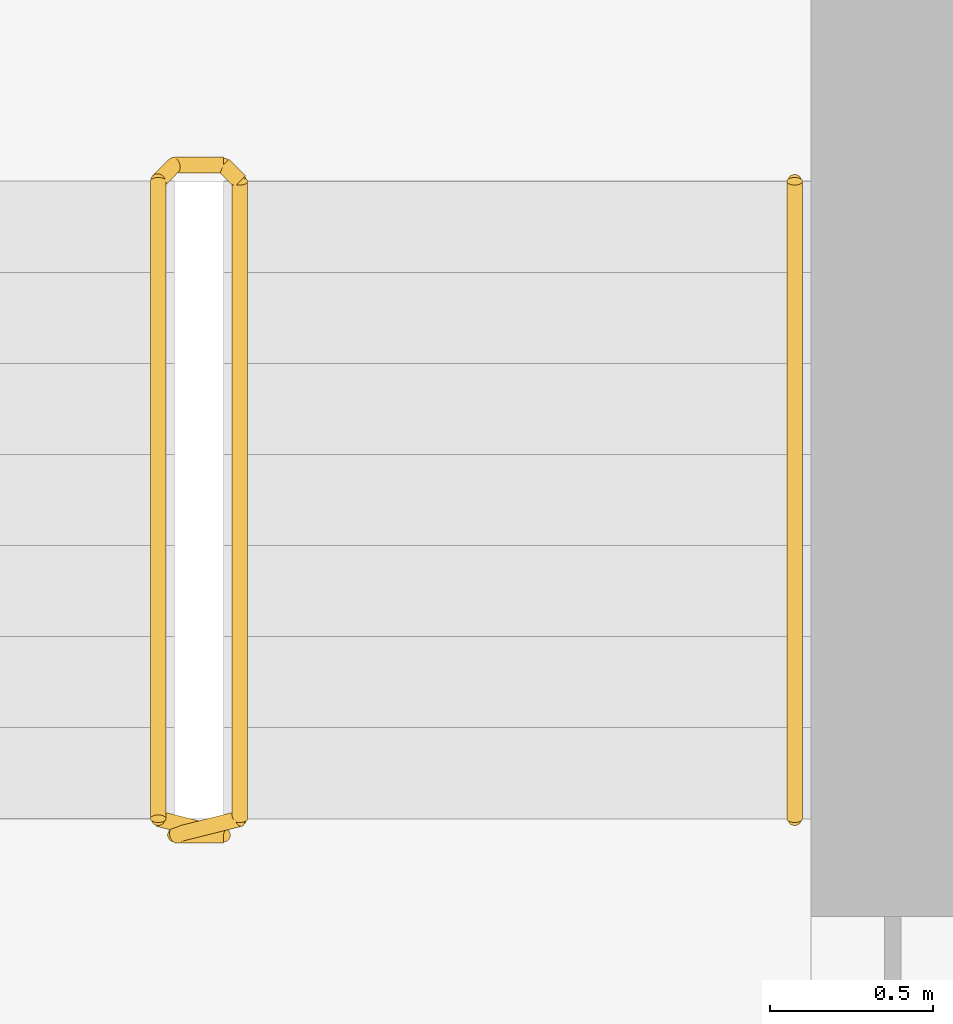
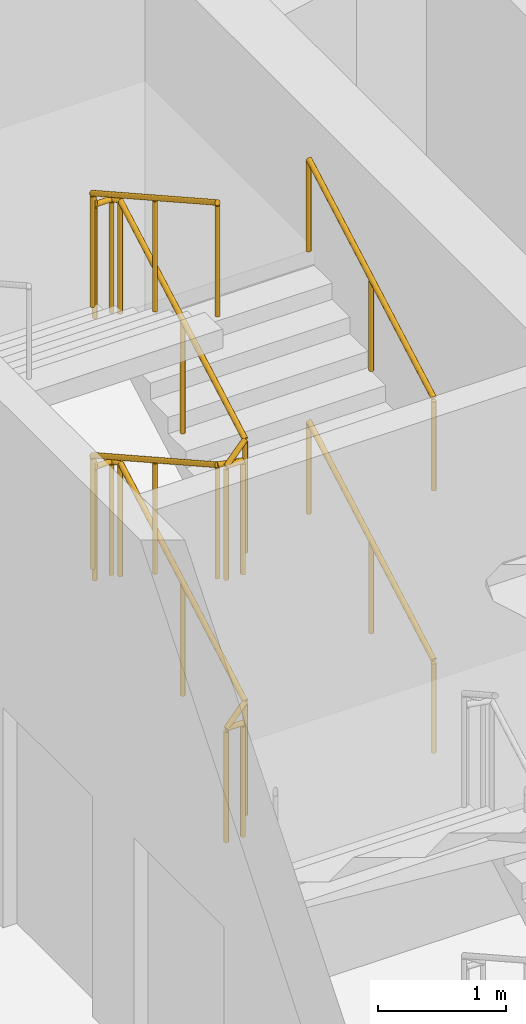
# One storey, part 11 of 11: 3 railings.
"""IFC4 building model written with IfcOpenShell, lengths in metres."""

import ifcopenshell
import ifcopenshell.guid

model = None  # the IFC model being written
_history = None  # IfcOwnerHistory: only IFC2X3 demands one
_inside = {}  # id of a spatial element -> (the spatial element, [elements in it])
_under = {}  # id of a project, library or spatial element -> (it, [spatial elements below it])
_declared = {}  # id of a project -> (the project, [libraries it declares])
_typed = {}  # id of a type object -> (the type object, [elements of that type])
_made_of = {}  # id of a material, layer set ... -> (it, [elements and type objects made of it])


def new_model(schema):
    """Start an empty IFC model of exactly this schema.

    Asked for "IFC4X3", IfcOpenShell would pick the latest addendum, in which some entities
    have other attributes; the version numbers below select the first issue.
    IFC2X3 requires an IfcOwnerHistory on every rooted entity: one is made here for all.
    """
    global model, _history
    if schema == "IFC4X3":
        model = ifcopenshell.file(schema_version=(4, 3, 0, 0))
    else:
        model = ifcopenshell.file(schema=schema)
    _inside.clear()
    _under.clear()
    _declared.clear()
    _typed.clear()
    _made_of.clear()
    _history = None
    if model.schema == "IFC2X3":
        org = make("IfcOrganization", Name="unknown")
        user = make(
            "IfcPersonAndOrganization",
            ThePerson=make("IfcPerson", FamilyName="unknown"),
            TheOrganization=org,
        )
        app = make(
            "IfcApplication",
            ApplicationDeveloper=org,
            Version="unknown",
            ApplicationFullName="unknown",
            ApplicationIdentifier="unknown",
        )
        _history = make(
            "IfcOwnerHistory",
            OwningUser=user,
            OwningApplication=app,
            ChangeAction="ADDED",
            CreationDate=0,
        )
    return model


def make(cls, **values):
    """One entity of the class cls with the attributes given. An attribute that is None is left unset."""
    return model.create_entity(
        cls, **{name: value for name, value in values.items() if value is not None}
    )


def rooted(cls, **values):
    """An entity with a GlobalId (a new one), such as an element, a storey or a relation."""
    return make(cls, GlobalId=ifcopenshell.guid.new(), OwnerHistory=_history, **values)


def si_unit(unit_type, name, prefix=None):
    """IfcSIUnit, for example si_unit("LENGTHUNIT", "METRE", prefix="MILLI")."""
    return make("IfcSIUnit", UnitType=unit_type, Prefix=prefix, Name=name)


def assignment(units):
    """IfcUnitAssignment: the units of a project."""
    return None if units is None else make("IfcUnitAssignment", Units=units)


def point(xyz):
    """IfcCartesianPoint."""
    return None if xyz is None else make("IfcCartesianPoint", Coordinates=xyz)


def direction(xyz):
    """IfcDirection."""
    return None if xyz is None else make("IfcDirection", DirectionRatios=xyz)


def frame(location, z_axis=None, x_axis=None):
    """IfcAxis2Placement3D, a coordinate frame: its origin and axes. An axis left out is left unset."""
    return make(
        "IfcAxis2Placement3D",
        Location=point(location),
        Axis=direction(z_axis),
        RefDirection=direction(x_axis),
    )


def frame_2d(location, x_axis=None):
    """IfcAxis2Placement2D, a coordinate frame in the plane: its origin and x axis."""
    return make(
        "IfcAxis2Placement2D", Location=point(location), RefDirection=direction(x_axis)
    )


def origin():
    """The frame at (0, 0, 0) with its axes left unset."""
    return frame((0.0, 0.0, 0.0))


def origin_2d():
    """The frame at (0, 0) in the plane with its x axis left unset."""
    return frame_2d((0.0, 0.0))


def place(relative_to, where):
    """IfcLocalPlacement: puts the frame where relative to a parent placement (None: the world)."""
    return make(
        "IfcLocalPlacement", PlacementRelTo=relative_to, RelativePlacement=where
    )


def context(
    kind, dimensions, precision=None, world=None, true_north=None, identifier=None
):
    """IfcGeometricRepresentationContext, for example the 3D "Model" context."""
    return make(
        "IfcGeometricRepresentationContext",
        ContextIdentifier=identifier,
        ContextType=kind,
        CoordinateSpaceDimension=dimensions,
        Precision=precision,
        WorldCoordinateSystem=world,
        TrueNorth=true_north,
    )


def subcontext(parent, identifier, kind, view, scale=None):
    """IfcGeometricRepresentationSubContext, for example "Body" below "Model"."""
    return make(
        "IfcGeometricRepresentationSubContext",
        ContextIdentifier=identifier,
        ContextType=kind,
        ParentContext=parent,
        TargetScale=scale,
        TargetView=view,
    )


def project(units=None, contexts=None):
    """IfcProject with its units and contexts."""
    return rooted(
        "IfcProject",
        Name="project",
        RepresentationContexts=contexts,
        UnitsInContext=assignment(units),
    )


def spatial(cls, under=None, at=None, **own):
    """A site, building, storey or space (cls), placed at a placement, below another one or the project."""
    s = rooted(cls, ObjectPlacement=at, **own)
    if under is not None:
        _under.setdefault(under.id(), (under, []))[1].append(s)
    return s


def profile(cls, at=None, kind="AREA", **sizes):
    """A parametric profile (cls). Its sizes go by their IFC names, for example OverallWidth=200.0."""
    return make(cls, ProfileType=kind, Position=at, **sizes)


def circle(**sizes):
    """IfcCircleProfileDef."""
    return profile("IfcCircleProfileDef", **sizes)


def extrude(swept, where, along, depth):
    """IfcExtrudedAreaSolid: the profile swept, set in the frame where, extruded along a direction by depth."""
    return make(
        "IfcExtrudedAreaSolid",
        SweptArea=swept,
        Position=where,
        ExtrudedDirection=direction(along),
        Depth=depth,
    )


def shape(context_of_items, identifier, shape_type, items):
    """IfcShapeRepresentation: the items that make up one representation, for example the "Body"."""
    return make(
        "IfcShapeRepresentation",
        ContextOfItems=context_of_items,
        RepresentationIdentifier=identifier,
        RepresentationType=shape_type,
        Items=items,
    )


def material(Name=None, Category=None):
    """IfcMaterial."""
    return make("IfcMaterial", Name=Name, Category=Category)


def made_of(thing, what):
    """Note that an element or type object is made of a material, layer set ...; save() writes the relation."""
    if what is not None:
        _made_of.setdefault(what.id(), (what, []))[1].append(thing)
    return thing


def type_object(cls, material=None, **own):
    """A type object (cls), such as IfcWallType, which elements share."""
    return made_of(rooted(cls, **own), material)


def element(
    cls,
    number,
    at=None,
    inside=None,
    cuts=None,
    type_object=None,
    material=None,
    context=None,
    identifier="Body",
    shape_type=None,
    held_by="IfcProductDefinitionShape",
    body=None,
    shapes=None,
    **own,
):
    """One element of the class cls, such as IfcWall. Its Tag is "e" and its number.

    at: its placement. inside: the storey or other place that contains it. cuts: it is an
    opening in that element (IfcRelVoidsElement). A single representation is given by context,
    identifier, shape_type and body (its items); several are given by shapes. held_by: the class
    of the entity that holds the representations. save() writes the other relations.
    """
    e = rooted(cls, Tag="e%d" % number, ObjectPlacement=at, **own)
    if body is not None:
        shapes = [shape(context, identifier, shape_type, body)]
    if shapes is not None:
        e.Representation = make(held_by, Representations=shapes)
    if inside is not None:
        _inside.setdefault(inside.id(), (inside, []))[1].append(e)
    if cuts is not None:
        rooted(
            "IfcRelVoidsElement", RelatingBuildingElement=cuts, RelatedOpeningElement=e
        )
    if type_object is not None:
        _typed.setdefault(type_object.id(), (type_object, []))[1].append(e)
    return made_of(e, material)


def aggregate(whole, parts):
    """IfcRelAggregates: a whole, such as a stair, and the parts it consists of."""
    return rooted("IfcRelAggregates", RelatingObject=whole, RelatedObjects=parts)


def save(model, path):
    """Write the relations noted so far, then the file.

    IfcRelAggregates (storeys below a building ...), IfcRelContainedInSpatialStructure (elements
    in a storey), IfcRelDefinesByType, IfcRelAssociatesMaterial and IfcRelDeclares: one each for
    every whole, place, type object, material and project.
    """
    for whole, parts in _under.values():
        aggregate(whole, parts)
    for where, things in _inside.values():
        rooted(
            "IfcRelContainedInSpatialStructure",
            RelatedElements=things,
            RelatingStructure=where,
        )
    for kind, things in _typed.values():
        rooted("IfcRelDefinesByType", RelatedObjects=things, RelatingType=kind)
    for what, things in _made_of.values():
        rooted("IfcRelAssociatesMaterial", RelatedObjects=things, RelatingMaterial=what)
    for by, libraries in _declared.values():
        rooted("IfcRelDeclares", RelatingContext=by, RelatedDefinitions=libraries)
    model.write(path)


model = new_model("IFC4")

# Units and contexts
model_context = context("Model", 3, precision=1e-05, world=origin(), true_north=direction((0.0, 1.0)))
body_context = subcontext(model_context, "Body", "Model", "MODEL_VIEW")
ifc_project = project(units=[si_unit("LENGTHUNIT", "METRE"), si_unit("AREAUNIT", "SQUARE_METRE"), si_unit("VOLUMEUNIT", "CUBIC_METRE"), si_unit("PLANEANGLEUNIT", "RADIAN"), si_unit("MASSUNIT", "GRAM", prefix="KILO")], contexts=[model_context])

# Site, building, storey
site_placement = place(None, origin())
site = spatial("IfcSite", under=ifc_project, at=site_placement, CompositionType="ELEMENT")
building_placement = place(site_placement, origin())
building = spatial("IfcBuilding", under=site, at=building_placement, Name="Calabash Gate Tower", CompositionType="ELEMENT")
storey_placement = place(building_placement, frame((0.0, 0.0, 310.5)))
storey = spatial("IfcBuildingStorey", under=building, at=storey_placement, Name="L73", CompositionType="ELEMENT", Elevation=310.5)

# Railings
ifc_material_1 = material(Name="Black powder-coated steel balusters", Category="steel")
railing_type_1 = type_object("IfcRailingType", Name="Stair guard RL1100", PredefinedType="GUARDRAIL", material=ifc_material_1)
railing_placement = place(storey_placement, frame((10.300048828125, 13.902587890625, 0.0)))
element("IfcRailing", 1, at=railing_placement, inside=storey, type_object=railing_type_1, Name="L73 ST3 stair guard 1", PredefinedType="GUARDRAIL", context=body_context, shape_type="SweptSolid", body=[
    extrude(circle(Radius=0.02392578125, at=origin_2d()), frame((0.0, 0.0, 1.076171875), z_axis=(-1.0, 0.0, 0.0), x_axis=(0.0, -1.0, 0.0)), (0.0, 0.0, 1.0), 0.150146484375),
    extrude(circle(Radius=0.02392578125, at=origin_2d()), frame((-0.150146484375, 0.0, 1.076171875), z_axis=(0.773438643492, 0.193359660873, 0.603659429067), x_axis=(-0.242535625036, 0.970142500145, 0.0)), (0.0, 0.0, 1.0), 0.2587890625),
    extrude(circle(Radius=0.02392578125, at=origin_2d()), frame((0.050048828125, 0.050048828125, 1.232421875), z_axis=(0.0, 0.872479975208, 0.48864986735), x_axis=(-1.0, 0.0, 0.0)), (0.0, 0.0, 1.0), 2.23828125),
    extrude(circle(Radius=0.02392578125, at=origin_2d()), frame((0.050048828125, 2.0029296875, 2.326171875), z_axis=(-0.707106781187, 0.707106781187, 0.0), x_axis=(-0.707106781187, -0.707106781187, 0.0)), (0.0, 0.0, 1.0), 0.07080078125),
    extrude(circle(Radius=0.02392578125, at=origin_2d()), frame((0.0, 2.052978515625, 2.326171875), z_axis=(-1.0, 0.0, 0.0), x_axis=(0.0, -1.0, 0.0)), (0.0, 0.0, 1.0), 0.150146484375),
    extrude(circle(Radius=0.02392578125, at=origin_2d()), frame((-0.150146484375, 2.052978515625, 2.326171875), z_axis=(-0.290469530425, -0.291893400672, 0.911276958196), x_axis=(0.708833529934, -0.705375805398, 0.0)), (0.0, 0.0, 1.0), 0.17138671875),
    extrude(circle(Radius=0.02392578125, at=origin_2d()), frame((-0.199951171875, 2.0029296875, 2.482421875), z_axis=(0.0, -0.872479975208, 0.48864986735), x_axis=(1.0, 0.0, 0.0)), (0.0, 0.0, 1.0), 2.23828125),
    extrude(circle(Radius=0.02392578125, at=origin_2d()), frame((-0.199951171875, 0.050048828125, 3.576171875), z_axis=(0.970072785993, -0.242814311512, 0.0), x_axis=(0.242814311512, 0.970072785993, 0.0)), (0.0, 0.0, 1.0), 0.2060546875),
    extrude(circle(Radius=0.02392578125, at=origin_2d()), frame((0.0, 0.0, 3.576171875), z_axis=(-1.0, 0.0, 0.0), x_axis=(0.0, -1.0, 0.0)), (0.0, 0.0, 1.0), 0.150146484375),
    extrude(circle(Radius=0.02392578125, at=origin_2d()), frame((-0.150146484375, 0.0, 3.576171875), z_axis=(0.773438643492, 0.193359660873, 0.603659429067), x_axis=(-0.242535625036, 0.970142500145, 0.0)), (0.0, 0.0, 1.0), 0.2587890625),
    extrude(circle(Radius=0.02392578125, at=origin_2d()), frame((0.050048828125, 0.050048828125, 3.732421875), z_axis=(0.0, 0.872479975208, 0.48864986735), x_axis=(-1.0, 0.0, 0.0)), (0.0, 0.0, 1.0), 2.23828125),
    extrude(circle(Radius=0.02392578125, at=origin_2d()), frame((0.050048828125, 2.0029296875, 4.826171875), z_axis=(-0.707106781187, 0.707106781187, 0.0), x_axis=(-0.707106781187, -0.707106781187, 0.0)), (0.0, 0.0, 1.0), 0.07080078125),
    extrude(circle(Radius=0.02392578125, at=origin_2d()), frame((0.0, 2.052978515625, 4.826171875), z_axis=(-1.0, 0.0, 0.0), x_axis=(0.0, -1.0, 0.0)), (0.0, 0.0, 1.0), 0.150146484375),
    extrude(circle(Radius=0.02392578125, at=origin_2d()), frame((-0.150146484375, 2.052978515625, 4.826171875), z_axis=(-0.290469530425, -0.291893400672, 0.911276958196), x_axis=(0.708833529934, -0.705375805398, 0.0)), (0.0, 0.0, 1.0), 0.17138671875),
    extrude(circle(Radius=0.02392578125, at=origin_2d()), frame((-0.199951171875, 2.0029296875, 4.982421875), z_axis=(0.0, -0.872479975208, 0.48864986735), x_axis=(1.0, 0.0, 0.0)), (0.0, 0.0, 1.0), 2.23828125),
    extrude(circle(Radius=0.02099609375, at=origin_2d()), origin(), (0.0, 0.0, 1.0), 1.052001953125),
    extrude(circle(Radius=0.02099609375, at=origin_2d()), frame((-0.150146484375, 0.0, 0.0)), (0.0, 0.0, 1.0), 1.052001953125),
    extrude(circle(Radius=0.02099609375, at=origin_2d()), frame((0.050048828125, 0.050048828125, 0.15625)), (0.0, 0.0, 1.0), 1.052001953125),
    extrude(circle(Radius=0.02099609375, at=origin_2d()), frame((0.050048828125, 1.0263671875, 0.703125)), (0.0, 0.0, 1.0), 1.052001953125),
    extrude(circle(Radius=0.02099609375, at=origin_2d()), frame((0.050048828125, 2.0029296875, 1.25)), (0.0, 0.0, 1.0), 1.052001953125),
    extrude(circle(Radius=0.02099609375, at=origin_2d()), frame((0.0, 2.052978515625, 1.25)), (0.0, 0.0, 1.0), 1.052001953125),
    extrude(circle(Radius=0.02099609375, at=origin_2d()), frame((-0.150146484375, 2.052978515625, 1.25)), (0.0, 0.0, 1.0), 1.052001953125),
    extrude(circle(Radius=0.02099609375, at=origin_2d()), frame((-0.199951171875, 2.0029296875, 1.40625)), (0.0, 0.0, 1.0), 1.052001953125),
    extrude(circle(Radius=0.02099609375, at=origin_2d()), frame((-0.199951171875, 1.0263671875, 1.953125)), (0.0, 0.0, 1.0), 1.052001953125),
    extrude(circle(Radius=0.02099609375, at=origin_2d()), frame((-0.199951171875, 0.050048828125, 2.5)), (0.0, 0.0, 1.0), 1.052001953125),
    extrude(circle(Radius=0.02099609375, at=origin_2d()), frame((0.0, 0.0, 2.5)), (0.0, 0.0, 1.0), 1.052001953125),
    extrude(circle(Radius=0.02099609375, at=origin_2d()), frame((-0.150146484375, 0.0, 2.5)), (0.0, 0.0, 1.0), 1.052001953125),
    extrude(circle(Radius=0.02099609375, at=origin_2d()), frame((0.050048828125, 0.050048828125, 2.65625)), (0.0, 0.0, 1.0), 1.052001953125),
    extrude(circle(Radius=0.02099609375, at=origin_2d()), frame((0.050048828125, 1.0263671875, 3.203125)), (0.0, 0.0, 1.0), 1.052001953125),
    extrude(circle(Radius=0.02099609375, at=origin_2d()), frame((0.050048828125, 2.0029296875, 3.75)), (0.0, 0.0, 1.0), 1.052001953125),
    extrude(circle(Radius=0.02099609375, at=origin_2d()), frame((0.0, 2.052978515625, 3.75)), (0.0, 0.0, 1.0), 1.052001953125),
    extrude(circle(Radius=0.02099609375, at=origin_2d()), frame((-0.150146484375, 2.052978515625, 3.75)), (0.0, 0.0, 1.0), 1.052001953125),
    extrude(circle(Radius=0.02099609375, at=origin_2d()), frame((-0.199951171875, 2.0029296875, 3.90625)), (0.0, 0.0, 1.0), 1.052001953125),
    extrude(circle(Radius=0.02099609375, at=origin_2d()), frame((-0.199951171875, 1.0263671875, 4.453125)), (0.0, 0.0, 1.0), 1.052001953125),
    extrude(circle(Radius=0.02099609375, at=origin_2d()), frame((-0.199951171875, 0.050048828125, 5.0)), (0.0, 0.0, 1.0), 1.052001953125),
])
ifc_material_2 = material(Name="Black powder-coated steel tube 48 mm", Category="steel")
railing_type_2 = type_object("IfcRailingType", Name="Stair handrail RL900", PredefinedType="HANDRAIL", material=ifc_material_2)
for number, where, name in (
    (2, (12.050048828125, 13.95263671875, 0.15625), "L73 ST3 stair handrail 1"),
    (3, (12.050048828125, 13.95263671875, 2.65625), "L73 ST3 stair handrail 3"),
):
    element("IfcRailing", number, at=place(storey_placement, frame(where)), inside=storey, type_object=railing_type_2, Name=name, PredefinedType="HANDRAIL", context=body_context, shape_type="SweptSolid", body=[
        extrude(circle(Radius=0.02392578125, at=origin_2d()), frame((0.0, 0.0, 0.8759765625), z_axis=(0.0, 0.872479975208, 0.48864986735), x_axis=(-1.0, 0.0, 0.0)), (0.0, 0.0, 1.0), 2.23828125),
        extrude(circle(Radius=0.02099609375, at=origin_2d()), origin(), (0.0, 0.0, 1.0), 0.851806640625),
        extrude(circle(Radius=0.02099609375, at=origin_2d()), frame((0.0, 0.9765625, 0.546875)), (0.0, 0.0, 1.0), 0.851806640625),
        extrude(circle(Radius=0.02099609375, at=origin_2d()), frame((0.0, 1.952880859375, 1.09375)), (0.0, 0.0, 1.0), 0.851806640625),
    ])

save(model, "model.ifc")
